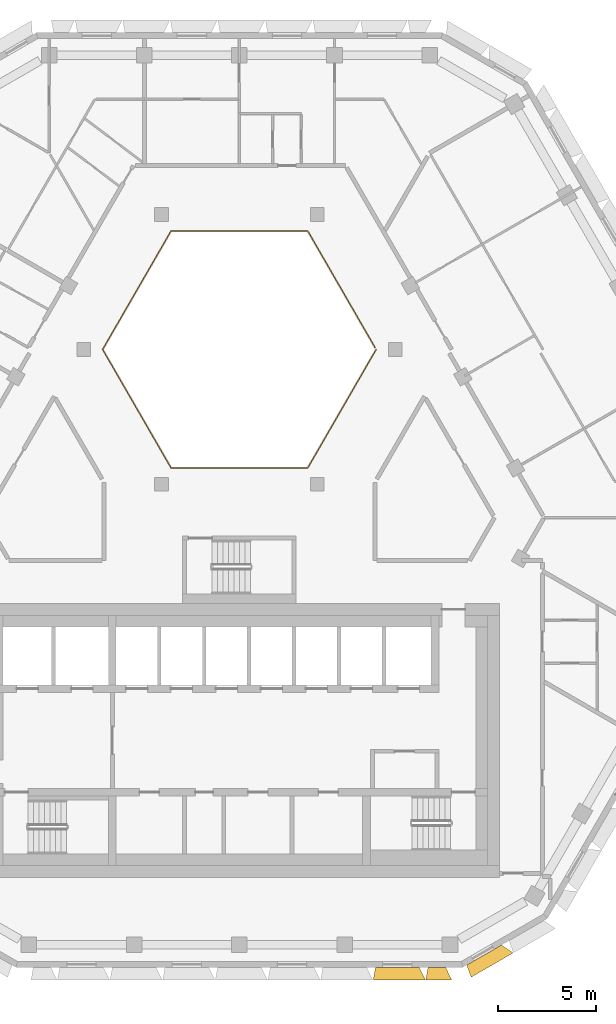
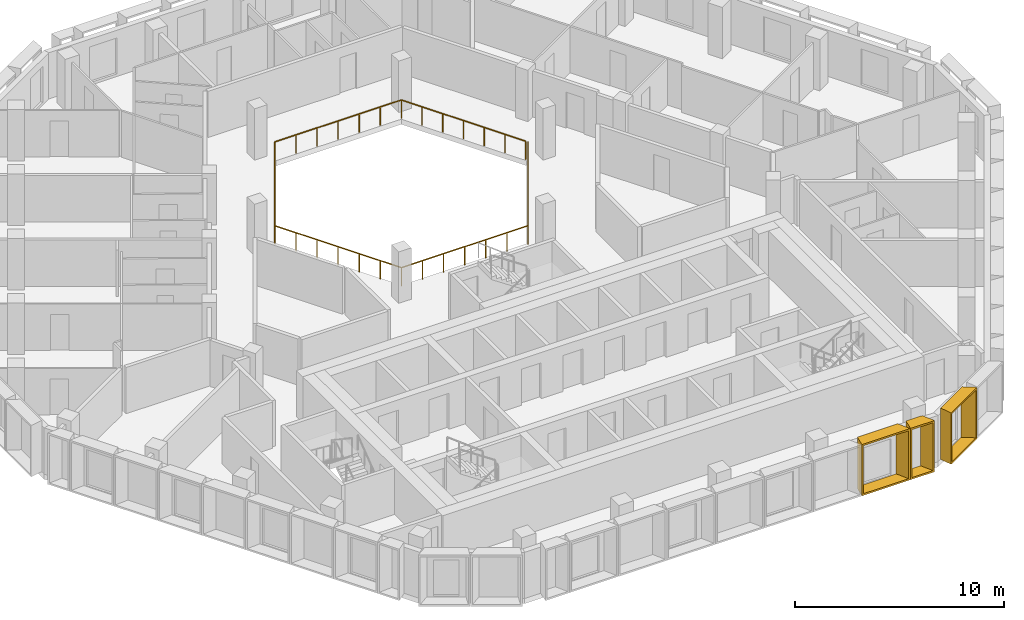
# One storey, part 13 of 15: 3 shading devices, 1 railing.
"""IFC4 building model written with IfcOpenShell, lengths in metres."""

from ifc_helpers import new_model, entity, si_unit, direction, frame, origin, origin_2d, place, context, subcontext, project, spatial, rectangle, extrude, source, transform, mapped, material, type_object, type_shapes, element, save


model = new_model("IFC4")

# Units and contexts
model_context = context("Model", 3, precision=1e-05, world=origin(), true_north=direction((0.0, 1.0)))
body_context = subcontext(model_context, "Body", "Model", "MODEL_VIEW")
ifc_project = project(units=[si_unit("LENGTHUNIT", "METRE"), si_unit("AREAUNIT", "SQUARE_METRE"), si_unit("VOLUMEUNIT", "CUBIC_METRE"), si_unit("PLANEANGLEUNIT", "RADIAN"), si_unit("MASSUNIT", "GRAM", prefix="KILO")], contexts=[model_context])

# Site, building, storey
site_placement = place(None, origin())
site = spatial("IfcSite", under=ifc_project, at=site_placement, CompositionType="ELEMENT")
building_placement = place(site_placement, origin())
building = spatial("IfcBuilding", under=site, at=building_placement, Name="Beryl Residences", CompositionType="ELEMENT")
storey_placement = place(building_placement, frame((0.0, 0.0, 163.199951171875)))
storey = spatial("IfcBuildingStorey", under=building, at=storey_placement, Name="L49", CompositionType="ELEMENT", Elevation=163.199951171875)

# Railing
ifc_material_1 = material(Name="Stainless steel balustrade with glass infill", Category="steel")
railing_type = type_object("IfcRailingType", Name="EG1 edge guard 1100 mm", PredefinedType="GUARDRAIL", material=ifc_material_1)
railing_placement = place(storey_placement, frame((6.9970703125, 8.0, 0.0)))
element("IfcRailing", 1, at=railing_placement, inside=storey, type_object=railing_type, Name="L49 atrium guard", PredefinedType="GUARDRAIL", context=body_context, shape_type="SweptSolid", body=[
    extrude(rectangle(XDim=0.048095703125, YDim=0.048095703125, at=origin_2d()), frame((0.0, 0.0, 1.076171875), z_axis=(-0.499921796684, -0.866070549782, 0.0), x_axis=(0.866070549782, -0.499921796684, 0.0)), (0.0, 0.0, 1.0), 6.9970703125),
    extrude(rectangle(XDim=0.048095703125, YDim=0.048095703125, at=origin_2d()), frame((-3.498046875, -6.06005859375, 1.076171875), z_axis=(-1.0, 0.0, 0.0), x_axis=(0.0, -1.0, 0.0)), (0.0, 0.0, 1.0), 6.998046875),
    extrude(rectangle(XDim=0.048095703125, YDim=0.048095703125, at=origin_2d()), frame((-10.49609375, -6.06005859375, 1.076171875), z_axis=(-0.499921796684, 0.866070549782, 0.0), x_axis=(-0.866070549782, -0.499921796684, 0.0)), (0.0, 0.0, 1.0), 6.9970703125),
    extrude(rectangle(XDim=0.048095703125, YDim=0.048095703125, at=origin_2d()), frame((-13.994140625, 0.0, 1.076171875), z_axis=(0.499921796684, 0.866070549782, 0.0), x_axis=(-0.866070549782, 0.499921796684, 0.0)), (0.0, 0.0, 1.0), 6.9970703125),
    extrude(rectangle(XDim=0.048095703125, YDim=0.048095703125, at=origin_2d()), frame((-10.49609375, 6.06005859375, 1.076171875), z_axis=(1.0, 0.0, 0.0), x_axis=(0.0, 1.0, 0.0)), (0.0, 0.0, 1.0), 6.998046875),
    extrude(rectangle(XDim=0.048095703125, YDim=0.048095703125, at=origin_2d()), frame((-3.498046875, 6.06005859375, 1.076171875), z_axis=(0.499919131929, -0.866072087953, 0.0), x_axis=(0.866072087953, 0.499919131929, 0.0)), (0.0, 0.0, 1.0), 6.877197265625),
    extrude(rectangle(XDim=0.0419921875, YDim=0.0419921875, at=origin_2d()), origin(), (0.0, 0.0, 1.0), 1.052001953125),
    extrude(rectangle(XDim=0.0419921875, YDim=0.0419921875, at=origin_2d()), frame((-0.5830078125, -1.010009765625, 0.0)), (0.0, 0.0, 1.0), 1.052001953125),
    extrude(rectangle(XDim=0.0419921875, YDim=0.0419921875, at=origin_2d()), frame((-1.166015625, -2.02001953125, 0.0)), (0.0, 0.0, 1.0), 1.052001953125),
    extrude(rectangle(XDim=0.0419921875, YDim=0.0419921875, at=origin_2d()), frame((-1.7490234375, -3.030029296875, 0.0)), (0.0, 0.0, 1.0), 1.052001953125),
    extrude(rectangle(XDim=0.0419921875, YDim=0.0419921875, at=origin_2d()), frame((-2.33203125, -4.0400390625, 0.0)), (0.0, 0.0, 1.0), 1.052001953125),
    extrude(rectangle(XDim=0.0419921875, YDim=0.0419921875, at=origin_2d()), frame((-2.9150390625, -5.050048828125, 0.0)), (0.0, 0.0, 1.0), 1.052001953125),
    extrude(rectangle(XDim=0.0419921875, YDim=0.0419921875, at=origin_2d()), frame((-3.498046875, -6.06005859375, 0.0)), (0.0, 0.0, 1.0), 1.052001953125),
    extrude(rectangle(XDim=0.0419921875, YDim=0.0419921875, at=origin_2d()), frame((-4.664306640625, -6.06005859375, 0.0)), (0.0, 0.0, 1.0), 1.052001953125),
    extrude(rectangle(XDim=0.0419921875, YDim=0.0419921875, at=origin_2d()), frame((-5.830810546875, -6.06005859375, 0.0)), (0.0, 0.0, 1.0), 1.052001953125),
    extrude(rectangle(XDim=0.0419921875, YDim=0.0419921875, at=origin_2d()), frame((-6.9970703125, -6.06005859375, 0.0)), (0.0, 0.0, 1.0), 1.052001953125),
    extrude(rectangle(XDim=0.0419921875, YDim=0.0419921875, at=origin_2d()), frame((-8.163330078125, -6.06005859375, 0.0)), (0.0, 0.0, 1.0), 1.052001953125),
    extrude(rectangle(XDim=0.0419921875, YDim=0.0419921875, at=origin_2d()), frame((-9.329833984375, -6.06005859375, 0.0)), (0.0, 0.0, 1.0), 1.052001953125),
    extrude(rectangle(XDim=0.0419921875, YDim=0.0419921875, at=origin_2d()), frame((-10.49609375, -6.06005859375, 0.0)), (0.0, 0.0, 1.0), 1.052001953125),
    extrude(rectangle(XDim=0.0419921875, YDim=0.0419921875, at=origin_2d()), frame((-11.0791015625, -5.050048828125, 0.0)), (0.0, 0.0, 1.0), 1.052001953125),
    extrude(rectangle(XDim=0.0419921875, YDim=0.0419921875, at=origin_2d()), frame((-11.662109375, -4.0400390625, 0.0)), (0.0, 0.0, 1.0), 1.052001953125),
    extrude(rectangle(XDim=0.0419921875, YDim=0.0419921875, at=origin_2d()), frame((-12.2451171875, -3.030029296875, 0.0)), (0.0, 0.0, 1.0), 1.052001953125),
    extrude(rectangle(XDim=0.0419921875, YDim=0.0419921875, at=origin_2d()), frame((-12.828125, -2.02001953125, 0.0)), (0.0, 0.0, 1.0), 1.052001953125),
    extrude(rectangle(XDim=0.0419921875, YDim=0.0419921875, at=origin_2d()), frame((-13.4111328125, -1.010009765625, 0.0)), (0.0, 0.0, 1.0), 1.052001953125),
    extrude(rectangle(XDim=0.0419921875, YDim=0.0419921875, at=origin_2d()), frame((-13.994140625, 0.0, 0.0)), (0.0, 0.0, 1.0), 1.052001953125),
    extrude(rectangle(XDim=0.0419921875, YDim=0.0419921875, at=origin_2d()), frame((-13.4111328125, 1.010009765625, 0.0)), (0.0, 0.0, 1.0), 1.052001953125),
    extrude(rectangle(XDim=0.0419921875, YDim=0.0419921875, at=origin_2d()), frame((-12.828125, 2.02001953125, 0.0)), (0.0, 0.0, 1.0), 1.052001953125),
    extrude(rectangle(XDim=0.0419921875, YDim=0.0419921875, at=origin_2d()), frame((-12.2451171875, 3.030029296875, 0.0)), (0.0, 0.0, 1.0), 1.052001953125),
    extrude(rectangle(XDim=0.0419921875, YDim=0.0419921875, at=origin_2d()), frame((-11.662109375, 4.0400390625, 0.0)), (0.0, 0.0, 1.0), 1.052001953125),
    extrude(rectangle(XDim=0.0419921875, YDim=0.0419921875, at=origin_2d()), frame((-11.0791015625, 5.050048828125, 0.0)), (0.0, 0.0, 1.0), 1.052001953125),
    extrude(rectangle(XDim=0.0419921875, YDim=0.0419921875, at=origin_2d()), frame((-10.49609375, 6.06005859375, 0.0)), (0.0, 0.0, 1.0), 1.052001953125),
    extrude(rectangle(XDim=0.0419921875, YDim=0.0419921875, at=origin_2d()), frame((-9.329833984375, 6.06005859375, 0.0)), (0.0, 0.0, 1.0), 1.052001953125),
    extrude(rectangle(XDim=0.0419921875, YDim=0.0419921875, at=origin_2d()), frame((-8.163330078125, 6.06005859375, 0.0)), (0.0, 0.0, 1.0), 1.052001953125),
    extrude(rectangle(XDim=0.0419921875, YDim=0.0419921875, at=origin_2d()), frame((-6.9970703125, 6.06005859375, 0.0)), (0.0, 0.0, 1.0), 1.052001953125),
    extrude(rectangle(XDim=0.0419921875, YDim=0.0419921875, at=origin_2d()), frame((-5.830810546875, 6.06005859375, 0.0)), (0.0, 0.0, 1.0), 1.052001953125),
    extrude(rectangle(XDim=0.0419921875, YDim=0.0419921875, at=origin_2d()), frame((-4.664306640625, 6.06005859375, 0.0)), (0.0, 0.0, 1.0), 1.052001953125),
    extrude(rectangle(XDim=0.0419921875, YDim=0.0419921875, at=origin_2d()), frame((-3.498046875, 6.06005859375, 0.0)), (0.0, 0.0, 1.0), 1.052001953125),
    extrude(rectangle(XDim=0.0419921875, YDim=0.0419921875, at=origin_2d()), frame((-2.925048828125, 5.0673828125, 0.0)), (0.0, 0.0, 1.0), 1.052001953125),
    extrude(rectangle(XDim=0.0419921875, YDim=0.0419921875, at=origin_2d()), frame((-2.35205078125, 4.07470703125, 0.0)), (0.0, 0.0, 1.0), 1.052001953125),
    extrude(rectangle(XDim=0.0419921875, YDim=0.0419921875, at=origin_2d()), frame((-1.779052734375, 3.08203125, 0.0)), (0.0, 0.0, 1.0), 1.052001953125),
    extrude(rectangle(XDim=0.0419921875, YDim=0.0419921875, at=origin_2d()), frame((-1.2060546875, 2.08935546875, 0.0)), (0.0, 0.0, 1.0), 1.052001953125),
    extrude(rectangle(XDim=0.0419921875, YDim=0.0419921875, at=origin_2d()), frame((-0.633056640625, 1.0966796875, 0.0)), (0.0, 0.0, 1.0), 1.052001953125),
    extrude(rectangle(XDim=0.0419921875, YDim=0.0419921875, at=origin_2d()), frame((-0.06005859375, 0.10400390625, 0.0)), (0.0, 0.0, 1.0), 1.052001953125),
])

# Shading devices
ifc_material_2 = material(Name="Aluminium pale anodised", Category="aluminium")
shading_device_type_1 = type_object("IfcShadingDeviceType", Name="FR135-65C OUTER SKIN frame 650 mm deep, splay 10/26 deg, 1350 x 3000 mm cell", PredefinedType="USERDEFINED", material=ifc_material_2)
cartesian_point_1 = entity("IfcCartesianPoint", [-0.448974609375, 0.0])
cartesian_point_2 = entity("IfcCartesianPoint", [-0.36767578125, 0.10009765625])
cartesian_point_3 = entity("IfcCartesianPoint", [-0.563720703125, 0.0])
cartesian_point_4 = entity("IfcCartesianPoint", [-0.482421875, 0.10009765625])
shared_shape_1 = source(origin(), body_context, "Body", "SweptSolid", [
    entity("IfcExtrudedAreaSolidTapered", entity("IfcArbitraryProfileDefWithVoids", "AREA", None, entity("IfcPolyline", [cartesian_point_1, entity("IfcCartesianPoint", [0.448974609375, 0.0]), entity("IfcCartesianPoint", [0.448974609375, 3.0]), entity("IfcCartesianPoint", [-0.448974609375, 3.0]), cartesian_point_1]), [entity("IfcPolyline", [cartesian_point_2, entity("IfcCartesianPoint", [0.360107421875, 0.10009765625]), entity("IfcCartesianPoint", [0.360107421875, 2.89990234375]), entity("IfcCartesianPoint", [-0.36767578125, 2.89990234375]), cartesian_point_2])]), entity("IfcAxis2Placement3D", entity("IfcCartesianPoint", [0.0, 0.0, 0.0]), entity("IfcDirection", [0.0, 1.0, 0.0]), entity("IfcDirection", [-1.0, 0.0, 0.0])), entity("IfcDirection", [0.0, 0.0, 1.0]), 0.64990234375, entity("IfcArbitraryProfileDefWithVoids", "AREA", None, entity("IfcPolyline", [cartesian_point_3, entity("IfcCartesianPoint", [0.76611328125, 0.0]), entity("IfcCartesianPoint", [0.76611328125, 3.0]), entity("IfcCartesianPoint", [-0.563720703125, 3.0]), cartesian_point_3]), [entity("IfcPolyline", [cartesian_point_4, entity("IfcCartesianPoint", [0.677001953125, 0.10009765625]), entity("IfcCartesianPoint", [0.677001953125, 2.89990234375]), entity("IfcCartesianPoint", [-0.482421875, 2.89990234375]), cartesian_point_4])])),
])
type_shapes(shading_device_type_1, [shared_shape_1])
shading_device_1_placement = place(storey_placement, frame((10.095947265625, -23.60009765625, 0.0), z_axis=(0.0, 0.0, 1.0), x_axis=(-1.0, 0.0, 0.0)))
element("IfcShadingDevice", 2, at=shading_device_1_placement, inside=storey, type_object=shading_device_type_1, Name="FR135-65C frame L49 S 9", ObjectType="OUTER SKIN", PredefinedType="USERDEFINED", context=body_context, shape_type="MappedRepresentation", body=[
    mapped(shared_shape_1, transform((0.0, 0.0, 0.0))),
])
ifc_material_3 = material(Name="Aluminium pale anodised", Category="aluminium")
shading_device_type_2 = type_object("IfcShadingDeviceType", Name="FR250-65C OUTER SKIN frame 650 mm deep, splay 10/26 deg, 2500 x 3000 mm cell", PredefinedType="USERDEFINED", material=ifc_material_3)
cartesian_point_5 = entity("IfcCartesianPoint", [-1.02392578125, 0.0])
cartesian_point_6 = entity("IfcCartesianPoint", [-0.94287109375, 0.10009765625])
cartesian_point_7 = entity("IfcCartesianPoint", [-1.138671875, 0.0])
cartesian_point_8 = entity("IfcCartesianPoint", [-1.057373046875, 0.10009765625])
shared_shape_2 = source(origin(), body_context, "Body", "SweptSolid", [
    entity("IfcExtrudedAreaSolidTapered", entity("IfcArbitraryProfileDefWithVoids", "AREA", None, entity("IfcPolyline", [cartesian_point_5, entity("IfcCartesianPoint", [1.02392578125, 0.0]), entity("IfcCartesianPoint", [1.02392578125, 3.0]), entity("IfcCartesianPoint", [-1.02392578125, 3.0]), cartesian_point_5]), [entity("IfcPolyline", [cartesian_point_6, entity("IfcCartesianPoint", [0.93505859375, 0.10009765625]), entity("IfcCartesianPoint", [0.93505859375, 2.89990234375]), entity("IfcCartesianPoint", [-0.94287109375, 2.89990234375]), cartesian_point_6])]), entity("IfcAxis2Placement3D", entity("IfcCartesianPoint", [0.0, 0.0, 0.0]), entity("IfcDirection", [0.0, 1.0, 0.0]), entity("IfcDirection", [-1.0, 0.0, 0.0])), entity("IfcDirection", [0.0, 0.0, 1.0]), 0.64990234375, entity("IfcArbitraryProfileDefWithVoids", "AREA", None, entity("IfcPolyline", [cartesian_point_7, entity("IfcCartesianPoint", [1.341064453125, 0.0]), entity("IfcCartesianPoint", [1.341064453125, 3.0]), entity("IfcCartesianPoint", [-1.138671875, 3.0]), cartesian_point_7]), [entity("IfcPolyline", [cartesian_point_8, entity("IfcCartesianPoint", [1.251953125, 0.10009765625]), entity("IfcCartesianPoint", [1.251953125, 2.89990234375]), entity("IfcCartesianPoint", [-1.057373046875, 2.89990234375]), cartesian_point_8])])),
])
type_shapes(shading_device_type_2, [shared_shape_2])
shading_device_2_placement = place(storey_placement, frame((12.513916015625, -22.97509765625, 0.0), z_axis=(0.0, 0.0, 1.0), x_axis=(-0.866025403784, -0.5, 0.0)))
element("IfcShadingDevice", 3, at=shading_device_2_placement, inside=storey, type_object=shading_device_type_2, Name="FR250-65C frame L49 S-SE 1", ObjectType="OUTER SKIN", PredefinedType="USERDEFINED", context=body_context, shape_type="MappedRepresentation", body=[
    mapped(shared_shape_2, transform((0.0, 0.0, 0.0))),
])
ifc_material_4 = material(Name="Aluminium pale anodised", Category="aluminium")
shading_device_type_3 = type_object("IfcShadingDeviceType", Name="FR269-65C OUTER SKIN frame 650 mm deep, splay 10/26 deg, 2690 x 3000 mm cell", PredefinedType="USERDEFINED", material=ifc_material_4)
cartesian_point_9 = entity("IfcCartesianPoint", [-1.118896484375, 0.0])
cartesian_point_10 = entity("IfcCartesianPoint", [-1.037841796875, 0.10009765625])
cartesian_point_11 = entity("IfcCartesianPoint", [-1.233642578125, 0.0])
cartesian_point_12 = entity("IfcCartesianPoint", [-1.15234375, 0.10009765625])
shared_shape_3 = source(origin(), body_context, "Body", "SweptSolid", [
    entity("IfcExtrudedAreaSolidTapered", entity("IfcArbitraryProfileDefWithVoids", "AREA", None, entity("IfcPolyline", [cartesian_point_9, entity("IfcCartesianPoint", [1.118896484375, 0.0]), entity("IfcCartesianPoint", [1.118896484375, 3.0]), entity("IfcCartesianPoint", [-1.118896484375, 3.0]), cartesian_point_9]), [entity("IfcPolyline", [cartesian_point_10, entity("IfcCartesianPoint", [1.030029296875, 0.10009765625]), entity("IfcCartesianPoint", [1.030029296875, 2.89990234375]), entity("IfcCartesianPoint", [-1.037841796875, 2.89990234375]), cartesian_point_10])]), entity("IfcAxis2Placement3D", entity("IfcCartesianPoint", [0.0, 0.0, 0.0]), entity("IfcDirection", [0.0, 1.0, 0.0]), entity("IfcDirection", [-1.0, 0.0, 0.0])), entity("IfcDirection", [0.0, 0.0, 1.0]), 0.64990234375, entity("IfcArbitraryProfileDefWithVoids", "AREA", None, entity("IfcPolyline", [cartesian_point_11, entity("IfcCartesianPoint", [1.43603515625, 0.0]), entity("IfcCartesianPoint", [1.43603515625, 3.0]), entity("IfcCartesianPoint", [-1.233642578125, 3.0]), cartesian_point_11]), [entity("IfcPolyline", [cartesian_point_12, entity("IfcCartesianPoint", [1.346923828125, 0.10009765625]), entity("IfcCartesianPoint", [1.346923828125, 2.89990234375]), entity("IfcCartesianPoint", [-1.15234375, 2.89990234375]), cartesian_point_12])])),
])
type_shapes(shading_device_type_3, [shared_shape_3])
shading_device_3_placement = place(storey_placement, frame((8.076904296875, -23.60009765625, 0.0), z_axis=(0.0, 0.0, 1.0), x_axis=(-1.0, 0.0, 0.0)))
element("IfcShadingDevice", 4, at=shading_device_3_placement, inside=storey, type_object=shading_device_type_3, Name="FR269-65C frame L49 S 8", ObjectType="OUTER SKIN", PredefinedType="USERDEFINED", context=body_context, shape_type="MappedRepresentation", body=[
    mapped(shared_shape_3, transform((0.0, 0.0, 0.0))),
])

save(model, "model.ifc")
